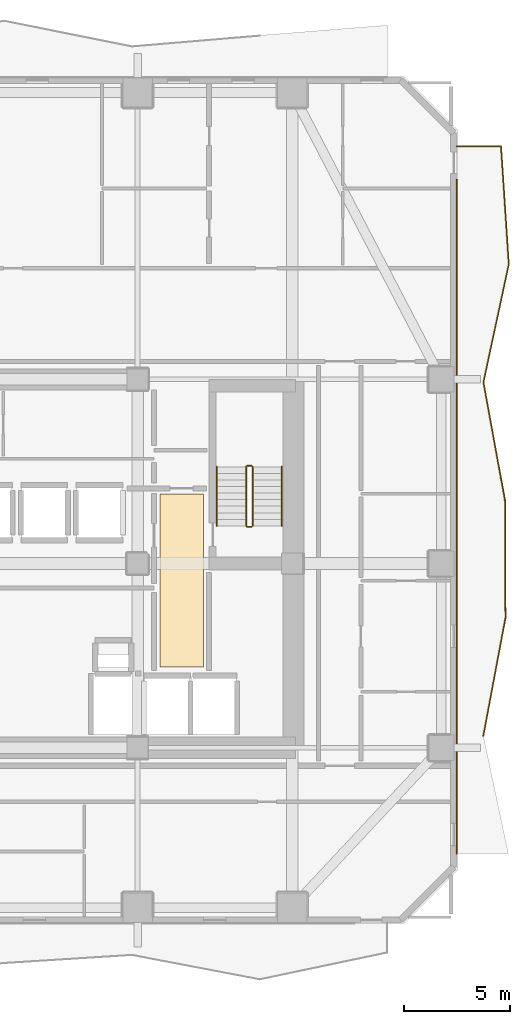
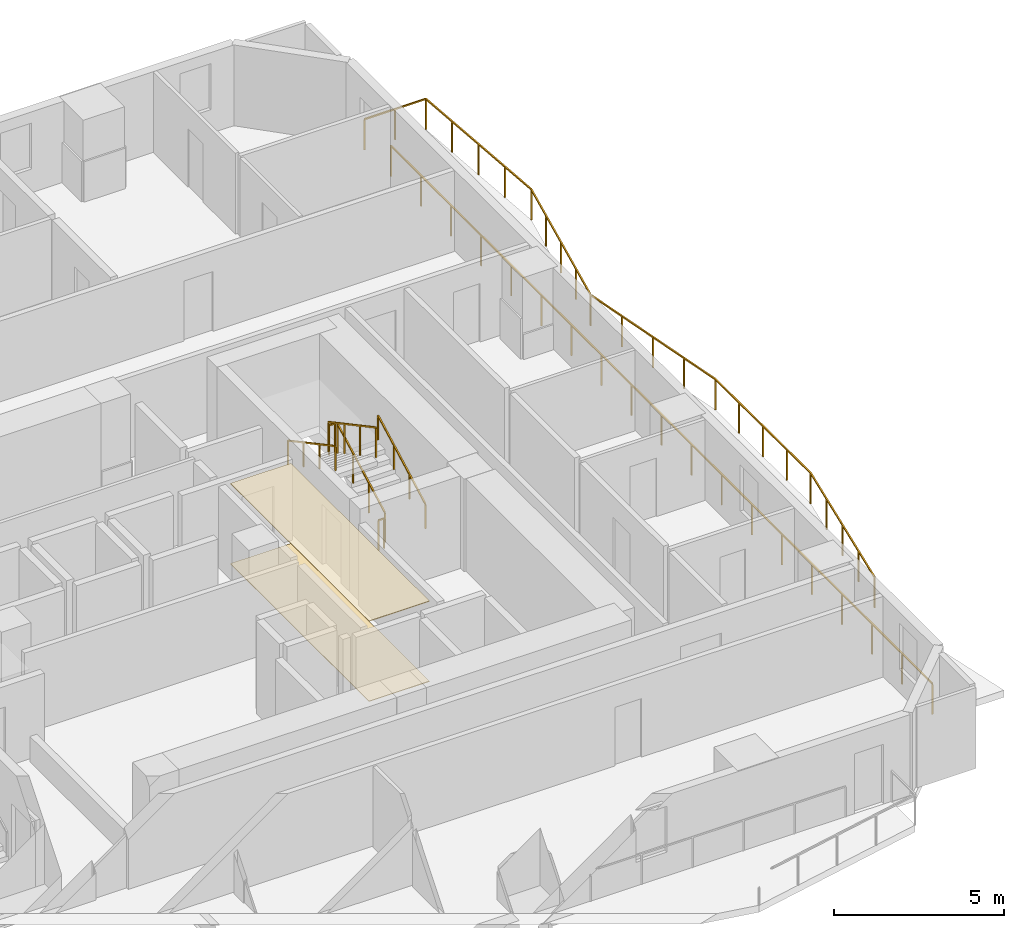
# One storey, part 9 of 10: 8 railings, 2 coverings.
"""IFC4 building model written with IfcOpenShell, lengths in metres."""

from ifc_helpers import new_model, si_unit, direction, frame, origin, origin_2d, place, context, subcontext, project, spatial, polyline, rectangle, outline, extrude, material, layer, layer_set, type_object, element, save


model = new_model("IFC4")

# Units and contexts
model_context = context("Model", 3, precision=1e-05, world=origin(), true_north=direction((0.0, 1.0)))
body_context = subcontext(model_context, "Body", "Model", "MODEL_VIEW")
ifc_project = project(units=[si_unit("LENGTHUNIT", "METRE"), si_unit("AREAUNIT", "SQUARE_METRE"), si_unit("VOLUMEUNIT", "CUBIC_METRE"), si_unit("PLANEANGLEUNIT", "RADIAN"), si_unit("MASSUNIT", "GRAM", prefix="KILO")], contexts=[model_context])

# Site, building, storey
site_placement = place(None, origin())
site = spatial("IfcSite", under=ifc_project, at=site_placement, CompositionType="ELEMENT")
building_placement = place(site_placement, origin())
building = spatial("IfcBuilding", under=site, at=building_placement, Name="Solanera Arch Residences", CompositionType="ELEMENT")
storey_placement = place(building_placement, frame((0.0, 0.0, 102.760009765625)))
storey = spatial("IfcBuildingStorey", under=building, at=storey_placement, Name="L29", CompositionType="ELEMENT", Elevation=102.760009765625)

# Railings
ifc_material_1 = material(Name="Steel S355 (ASTM A992 / A572 Grade 50)", Category="steel")
railing_type_1 = type_object("IfcRailingType", Name="Balustrade Railing BL-1100", PredefinedType="BALUSTRADE", material=ifc_material_1)
railing_1_placement = place(storey_placement, frame((45.534912109375, 22.56689453125, 0.0)))
element("IfcRailing", 1, at=railing_1_placement, inside=storey, type_object=railing_type_1, Name="L29 E Balcony Balustrade 1", PredefinedType="BALUSTRADE", context=body_context, shape_type="SweptSolid", body=[
    extrude(rectangle(XDim=0.048095703125, YDim=0.048095703125, at=origin_2d()), frame((0.0, 0.0, 1.09619140625), z_axis=(0.184379633729, 0.982855101562, 0.0), x_axis=(-0.982855101562, 0.184379633729, 0.0)), (0.0, 0.0, 1.0), 5.663330078125),
    extrude(rectangle(XDim=0.048095703125, YDim=0.048095703125, at=origin_2d()), frame((1.044189453125, 5.566162109375, 1.09619140625), z_axis=(-0.004517101534, 0.999989797845, 0.0), x_axis=(-0.999989797845, -0.004517101534, 0.0)), (0.0, 0.0, 1.0), 5.56689453125),
    extrude(rectangle(XDim=0.048095703125, YDim=0.048095703125, at=origin_2d()), frame((1.01904296875, 11.133056640625, 1.09619140625), z_axis=(-0.179344803706, 0.983786278306, 0.0), x_axis=(-0.983786278306, -0.179344803706, 0.0)), (0.0, 0.0, 1.0), 5.658935546875),
    extrude(rectangle(XDim=0.048095703125, YDim=0.048095703125, at=origin_2d()), frame((0.004150390625, 16.7001953125, 1.09619140625), z_axis=(0.210091364548, 0.977681757292, 0.0), x_axis=(-0.977681757292, 0.210091364548, 0.0)), (0.0, 0.0, 1.0), 5.69287109375),
    extrude(rectangle(XDim=0.048095703125, YDim=0.048095703125, at=origin_2d()), frame((1.2001953125, 22.26611328125, 1.09619140625), z_axis=(-0.065641824161, 0.997843249674, 0.0), x_axis=(-0.997843249674, -0.065641824161, 0.0)), (0.0, 0.0, 1.0), 5.578857421875),
    extrude(rectangle(XDim=0.048095703125, YDim=0.048095703125, at=origin_2d()), frame((0.833984375, 27.8330078125, 1.09619140625), z_axis=(-1.0, 0.0, 0.0), x_axis=(0.0, -1.0, 0.0)), (0.0, 0.0, 1.0), 2.0888671875),
    extrude(rectangle(XDim=0.0419921875, YDim=0.0419921875, at=origin_2d()), origin(), (0.0, 0.0, 1.0), 1.072021484375),
    extrude(rectangle(XDim=0.0419921875, YDim=0.0419921875, at=origin_2d()), frame((0.260986328125, 1.3916015625, 0.0)), (0.0, 0.0, 1.0), 1.072021484375),
    extrude(rectangle(XDim=0.0419921875, YDim=0.0419921875, at=origin_2d()), frame((0.52197265625, 2.783203125, 0.0)), (0.0, 0.0, 1.0), 1.072021484375),
    extrude(rectangle(XDim=0.0419921875, YDim=0.0419921875, at=origin_2d()), frame((0.783203125, 4.174560546875, 0.0)), (0.0, 0.0, 1.0), 1.072021484375),
    extrude(rectangle(XDim=0.0419921875, YDim=0.0419921875, at=origin_2d()), frame((1.044189453125, 5.566162109375, 0.0)), (0.0, 0.0, 1.0), 1.072021484375),
    extrude(rectangle(XDim=0.0419921875, YDim=0.0419921875, at=origin_2d()), frame((1.037841796875, 6.9580078125, 0.0)), (0.0, 0.0, 1.0), 1.072021484375),
    extrude(rectangle(XDim=0.0419921875, YDim=0.0419921875, at=origin_2d()), frame((1.03173828125, 8.349609375, 0.0)), (0.0, 0.0, 1.0), 1.072021484375),
    extrude(rectangle(XDim=0.0419921875, YDim=0.0419921875, at=origin_2d()), frame((1.025390625, 9.7412109375, 0.0)), (0.0, 0.0, 1.0), 1.072021484375),
    extrude(rectangle(XDim=0.0419921875, YDim=0.0419921875, at=origin_2d()), frame((1.01904296875, 11.133056640625, 0.0)), (0.0, 0.0, 1.0), 1.072021484375),
    extrude(rectangle(XDim=0.0419921875, YDim=0.0419921875, at=origin_2d()), frame((0.765380859375, 12.52490234375, 0.0)), (0.0, 0.0, 1.0), 1.072021484375),
    extrude(rectangle(XDim=0.0419921875, YDim=0.0419921875, at=origin_2d()), frame((0.51171875, 13.91650390625, 0.0)), (0.0, 0.0, 1.0), 1.072021484375),
    extrude(rectangle(XDim=0.0419921875, YDim=0.0419921875, at=origin_2d()), frame((0.2578125, 15.308349609375, 0.0)), (0.0, 0.0, 1.0), 1.072021484375),
    extrude(rectangle(XDim=0.0419921875, YDim=0.0419921875, at=origin_2d()), frame((0.004150390625, 16.7001953125, 0.0)), (0.0, 0.0, 1.0), 1.072021484375),
    extrude(rectangle(XDim=0.0419921875, YDim=0.0419921875, at=origin_2d()), frame((0.30322265625, 18.091796875, 0.0)), (0.0, 0.0, 1.0), 1.072021484375),
    extrude(rectangle(XDim=0.0419921875, YDim=0.0419921875, at=origin_2d()), frame((0.60205078125, 19.483154296875, 0.0)), (0.0, 0.0, 1.0), 1.072021484375),
    extrude(rectangle(XDim=0.0419921875, YDim=0.0419921875, at=origin_2d()), frame((0.901123046875, 20.87451171875, 0.0)), (0.0, 0.0, 1.0), 1.072021484375),
    extrude(rectangle(XDim=0.0419921875, YDim=0.0419921875, at=origin_2d()), frame((1.2001953125, 22.26611328125, 0.0)), (0.0, 0.0, 1.0), 1.072021484375),
    extrude(rectangle(XDim=0.0419921875, YDim=0.0419921875, at=origin_2d()), frame((1.108642578125, 23.65771484375, 0.0)), (0.0, 0.0, 1.0), 1.072021484375),
    extrude(rectangle(XDim=0.0419921875, YDim=0.0419921875, at=origin_2d()), frame((1.01708984375, 25.049560546875, 0.0)), (0.0, 0.0, 1.0), 1.072021484375),
    extrude(rectangle(XDim=0.0419921875, YDim=0.0419921875, at=origin_2d()), frame((0.925537109375, 26.44140625, 0.0)), (0.0, 0.0, 1.0), 1.072021484375),
    extrude(rectangle(XDim=0.0419921875, YDim=0.0419921875, at=origin_2d()), frame((0.833984375, 27.8330078125, 0.0)), (0.0, 0.0, 1.0), 1.072021484375),
    extrude(rectangle(XDim=0.0419921875, YDim=0.0419921875, at=origin_2d()), frame((-0.21044921875, 27.8330078125, 0.0)), (0.0, 0.0, 1.0), 1.072021484375),
    extrude(rectangle(XDim=0.0419921875, YDim=0.0419921875, at=origin_2d()), frame((-1.2548828125, 27.8330078125, 0.0)), (0.0, 0.0, 1.0), 1.072021484375),
])
railing_2_placement = place(storey_placement, frame((44.280029296875, 48.833984375, 0.0)))
element("IfcRailing", 2, at=railing_2_placement, inside=storey, type_object=railing_type_1, Name="L29 E Balcony Balustrade 2", PredefinedType="BALUSTRADE", context=body_context, shape_type="SweptSolid", body=[
    extrude(rectangle(XDim=0.048095703125, YDim=0.048095703125, at=origin_2d()), frame((0.0, 0.0, 1.09619140625), z_axis=(0.0, -1.0, 0.0), x_axis=(1.0, 0.0, 0.0)), (0.0, 0.0, 1.0), 31.833984375),
    extrude(rectangle(XDim=0.0419921875, YDim=0.0419921875, at=origin_2d()), origin(), (0.0, 0.0, 1.0), 1.072021484375),
    extrude(rectangle(XDim=0.0419921875, YDim=0.0419921875, at=origin_2d()), frame((0.0, -1.7685546875, 0.0)), (0.0, 0.0, 1.0), 1.072021484375),
    extrude(rectangle(XDim=0.0419921875, YDim=0.0419921875, at=origin_2d()), frame((0.0, -3.537109375, 0.0)), (0.0, 0.0, 1.0), 1.072021484375),
    extrude(rectangle(XDim=0.0419921875, YDim=0.0419921875, at=origin_2d()), frame((0.0, -5.3056640625, 0.0)), (0.0, 0.0, 1.0), 1.072021484375),
    extrude(rectangle(XDim=0.0419921875, YDim=0.0419921875, at=origin_2d()), frame((0.0, -7.07421875, 0.0)), (0.0, 0.0, 1.0), 1.072021484375),
    extrude(rectangle(XDim=0.0419921875, YDim=0.0419921875, at=origin_2d()), frame((0.0, -8.8427734375, 0.0)), (0.0, 0.0, 1.0), 1.072021484375),
    extrude(rectangle(XDim=0.0419921875, YDim=0.0419921875, at=origin_2d()), frame((0.0, -10.611328125, 0.0)), (0.0, 0.0, 1.0), 1.072021484375),
    extrude(rectangle(XDim=0.0419921875, YDim=0.0419921875, at=origin_2d()), frame((0.0, -12.3798828125, 0.0)), (0.0, 0.0, 1.0), 1.072021484375),
    extrude(rectangle(XDim=0.0419921875, YDim=0.0419921875, at=origin_2d()), frame((0.0, -14.1484375, 0.0)), (0.0, 0.0, 1.0), 1.072021484375),
    extrude(rectangle(XDim=0.0419921875, YDim=0.0419921875, at=origin_2d()), frame((0.0, -15.9169921875, 0.0)), (0.0, 0.0, 1.0), 1.072021484375),
    extrude(rectangle(XDim=0.0419921875, YDim=0.0419921875, at=origin_2d()), frame((0.0, -17.685546875, 0.0)), (0.0, 0.0, 1.0), 1.072021484375),
    extrude(rectangle(XDim=0.0419921875, YDim=0.0419921875, at=origin_2d()), frame((0.0, -19.4541015625, 0.0)), (0.0, 0.0, 1.0), 1.072021484375),
    extrude(rectangle(XDim=0.0419921875, YDim=0.0419921875, at=origin_2d()), frame((0.0, -21.22265625, 0.0)), (0.0, 0.0, 1.0), 1.072021484375),
    extrude(rectangle(XDim=0.0419921875, YDim=0.0419921875, at=origin_2d()), frame((0.0, -22.9912109375, 0.0)), (0.0, 0.0, 1.0), 1.072021484375),
    extrude(rectangle(XDim=0.0419921875, YDim=0.0419921875, at=origin_2d()), frame((0.0, -24.759765625, 0.0)), (0.0, 0.0, 1.0), 1.072021484375),
    extrude(rectangle(XDim=0.0419921875, YDim=0.0419921875, at=origin_2d()), frame((0.0, -26.5283203125, 0.0)), (0.0, 0.0, 1.0), 1.072021484375),
    extrude(rectangle(XDim=0.0419921875, YDim=0.0419921875, at=origin_2d()), frame((0.0, -28.296875, 0.0)), (0.0, 0.0, 1.0), 1.072021484375),
    extrude(rectangle(XDim=0.0419921875, YDim=0.0419921875, at=origin_2d()), frame((0.0, -30.0654296875, 0.0)), (0.0, 0.0, 1.0), 1.072021484375),
    extrude(rectangle(XDim=0.0419921875, YDim=0.0419921875, at=origin_2d()), frame((0.0, -31.833984375, 0.0)), (0.0, 0.0, 1.0), 1.072021484375),
])

# Covering
ifc_material_2 = material(Name="Porcelain Acoustic Floor Tile", Category="ceramic")
ifc_layer_1 = layer(ifc_material_2, 0.02001953125)
ifc_layer_set_1 = layer_set([ifc_layer_1], Name="Porcelain Acoustic Floor Tile")
covering_type_1 = type_object("IfcCoveringType", Name="Porcelain Acoustic Floor Finish FLR-20", PredefinedType="FLOORING", material=ifc_layer_set_1)
covering_1_placement = place(storey_placement, origin())
element("IfcCovering", 3, at=covering_1_placement, inside=storey, type_object=covering_type_1, Name="L29-FFL-E Porcelain Floor Finish", PredefinedType="FLOORING", context=body_context, shape_type="SweptSolid", body=[
    extrude(outline(polyline([(32.304931640625, 25.824951171875), (30.25, 25.824951171875), (30.25, 33.97509765625), (32.304931640625, 33.97509765625), (32.304931640625, 25.824951171875)])), origin(), (0.0, 0.0, 1.0), 0.02001953125),
])

# Railings
ifc_material_3 = material(Name="Steel S355 (ASTM A992 / A572 Grade 50)", Category="steel")
railing_type_2 = type_object("IfcRailingType", Name="Stair Guardrail GR-1100", PredefinedType="GUARDRAIL", material=ifc_material_3)
railing_3_placement = place(storey_placement, frame((34.6298828125, 32.47998046875, 0.15087890625)))
element("IfcRailing", 4, at=railing_3_placement, inside=storey, type_object=railing_type_2, Name="L29 ST-T2 stair guard 1", PredefinedType="GUARDRAIL", context=body_context, shape_type="SweptSolid", body=[
    extrude(rectangle(XDim=0.048095703125, YDim=0.048095703125, at=origin_2d()), frame((0.0, 0.0, 1.076171875), z_axis=(0.0, 0.881548766853, 0.472092969298), x_axis=(-1.0, 0.0, 0.0)), (0.0, 0.0, 1.0), 3.1650390625),
    extrude(rectangle(XDim=0.0419921875, YDim=0.0419921875, at=origin_2d()), origin(), (0.0, 0.0, 1.0), 1.052001953125),
    extrude(rectangle(XDim=0.0419921875, YDim=0.0419921875, at=origin_2d()), frame((0.0, 0.929931640625, 0.498046875)), (0.0, 0.0, 1.0), 1.052001953125),
    extrude(rectangle(XDim=0.0419921875, YDim=0.0419921875, at=origin_2d()), frame((0.0, 1.860107421875, 0.99609375)), (0.0, 0.0, 1.0), 1.052001953125),
    extrude(rectangle(XDim=0.0419921875, YDim=0.0419921875, at=origin_2d()), frame((0.0, 2.7900390625, 1.494140625)), (0.0, 0.0, 1.0), 1.052001953125),
])
railing_4_placement = place(storey_placement, frame((34.580078125, 35.320068359375, 1.64501953125)))
element("IfcRailing", 5, at=railing_4_placement, inside=storey, type_object=railing_type_2, Name="L29 ST-T2 stair guard 2", PredefinedType="GUARDRAIL", context=body_context, shape_type="SweptSolid", body=[
    extrude(rectangle(XDim=0.048095703125, YDim=0.048095703125, at=origin_2d()), frame((0.0, 0.0, 1.076171875), z_axis=(-1.0, 0.0, 0.0), x_axis=(0.0, -1.0, 0.0)), (0.0, 0.0, 1.0), 0.2001953125),
    extrude(rectangle(XDim=0.0419921875, YDim=0.0419921875, at=origin_2d()), origin(), (0.0, 0.0, 1.0), 1.052001953125),
    extrude(rectangle(XDim=0.0419921875, YDim=0.0419921875, at=origin_2d()), frame((-0.2001953125, 0.0, 0.0)), (0.0, 0.0, 1.0), 1.052001953125),
])
railing_5_placement = place(storey_placement, frame((34.330078125, 35.27001953125, 1.81103515625)))
element("IfcRailing", 6, at=railing_5_placement, inside=storey, type_object=railing_type_2, Name="L29 ST-T2 stair guard 3", PredefinedType="GUARDRAIL", context=body_context, shape_type="SweptSolid", body=[
    extrude(rectangle(XDim=0.048095703125, YDim=0.048095703125, at=origin_2d()), frame((0.0, 0.0, 1.076171875), z_axis=(0.0, -0.881580869306, 0.472033018838), x_axis=(1.0, 0.0, 0.0)), (0.0, 0.0, 1.0), 3.164794921875),
    extrude(rectangle(XDim=0.0419921875, YDim=0.0419921875, at=origin_2d()), origin(), (0.0, 0.0, 1.0), 1.052001953125),
    extrude(rectangle(XDim=0.0419921875, YDim=0.0419921875, at=origin_2d()), frame((0.0, -0.929931640625, 0.498046875)), (0.0, 0.0, 1.0), 1.052001953125),
    extrude(rectangle(XDim=0.0419921875, YDim=0.0419921875, at=origin_2d()), frame((0.0, -1.860107421875, 0.995849609375)), (0.0, 0.0, 1.0), 1.052001953125),
    extrude(rectangle(XDim=0.0419921875, YDim=0.0419921875, at=origin_2d()), frame((0.0, -2.7900390625, 1.493896484375)), (0.0, 0.0, 1.0), 1.052001953125),
])
railing_6_placement = place(storey_placement, frame((34.580078125, 32.429931640625, -0.014892578125)))
element("IfcRailing", 7, at=railing_6_placement, inside=storey, type_object=railing_type_2, Name="L29 ST-T2 stair guard 4", PredefinedType="GUARDRAIL", context=body_context, shape_type="SweptSolid", body=[
    extrude(rectangle(XDim=0.048095703125, YDim=0.048095703125, at=origin_2d()), frame((0.0, 0.0, 1.076171875), z_axis=(-1.0, 0.0, 0.0), x_axis=(0.0, -1.0, 0.0)), (0.0, 0.0, 1.0), 0.2001953125),
    extrude(rectangle(XDim=0.0419921875, YDim=0.0419921875, at=origin_2d()), origin(), (0.0, 0.0, 1.0), 1.052001953125),
    extrude(rectangle(XDim=0.0419921875, YDim=0.0419921875, at=origin_2d()), frame((-0.2001953125, 0.0, 0.0)), (0.0, 0.0, 1.0), 1.052001953125),
])
ifc_material_4 = material(Name="Steel S355 (ASTM A992 / A572 Grade 50)", Category="steel")
railing_type_3 = type_object("IfcRailingType", Name="Stair Wall Handrail HR-920", PredefinedType="HANDRAIL", material=ifc_material_4)
railing_7_placement = place(storey_placement, frame((36.010009765625, 32.47998046875, 0.166015625)))
element("IfcRailing", 8, at=railing_7_placement, inside=storey, type_object=railing_type_3, Name="L29 ST-T2 stair handrail 1", PredefinedType="HANDRAIL", context=body_context, shape_type="SweptSolid", body=[
    extrude(rectangle(XDim=0.048095703125, YDim=0.048095703125, at=origin_2d()), frame((0.0, 0.0, 0.8759765625), z_axis=(0.0, 0.881580869306, 0.472033018838), x_axis=(-1.0, 0.0, 0.0)), (0.0, 0.0, 1.0), 3.164794921875),
    extrude(rectangle(XDim=0.0419921875, YDim=0.0419921875, at=origin_2d()), origin(), (0.0, 0.0, 1.0), 0.851806640625),
    extrude(rectangle(XDim=0.0419921875, YDim=0.0419921875, at=origin_2d()), frame((0.0, 0.929931640625, 0.498046875)), (0.0, 0.0, 1.0), 0.851806640625),
    extrude(rectangle(XDim=0.0419921875, YDim=0.0419921875, at=origin_2d()), frame((0.0, 1.860107421875, 0.995849609375)), (0.0, 0.0, 1.0), 0.851806640625),
    extrude(rectangle(XDim=0.0419921875, YDim=0.0419921875, at=origin_2d()), frame((0.0, 2.7900390625, 1.493896484375)), (0.0, 0.0, 1.0), 0.851806640625),
])
railing_8_placement = place(storey_placement, frame((32.949951171875, 35.27001953125, 1.825927734375)))
element("IfcRailing", 9, at=railing_8_placement, inside=storey, type_object=railing_type_3, Name="L29 ST-T2 stair handrail 2", PredefinedType="HANDRAIL", context=body_context, shape_type="SweptSolid", body=[
    extrude(rectangle(XDim=0.048095703125, YDim=0.048095703125, at=origin_2d()), frame((0.0, 0.0, 0.8759765625), z_axis=(0.0, -0.881548766853, 0.472092969298), x_axis=(1.0, 0.0, 0.0)), (0.0, 0.0, 1.0), 3.1650390625),
    extrude(rectangle(XDim=0.0419921875, YDim=0.0419921875, at=origin_2d()), origin(), (0.0, 0.0, 1.0), 0.851806640625),
    extrude(rectangle(XDim=0.0419921875, YDim=0.0419921875, at=origin_2d()), frame((0.0, -0.929931640625, 0.498046875)), (0.0, 0.0, 1.0), 0.851806640625),
    extrude(rectangle(XDim=0.0419921875, YDim=0.0419921875, at=origin_2d()), frame((0.0, -1.860107421875, 0.99609375)), (0.0, 0.0, 1.0), 0.851806640625),
    extrude(rectangle(XDim=0.0419921875, YDim=0.0419921875, at=origin_2d()), frame((0.0, -2.7900390625, 1.494140625)), (0.0, 0.0, 1.0), 0.851806640625),
])

# Covering
ifc_material_5 = material(Name="Mineral Fibre Acoustic Ceiling Board", Category="gypsum")
ifc_layer_2 = layer(ifc_material_5, 0.02490234375)
ifc_layer_set_2 = layer_set([ifc_layer_2], Name="Mineral Fibre Acoustic Ceiling Board")
covering_type_2 = type_object("IfcCoveringType", Name="Suspended Acoustic Ceiling Board CLG-25", PredefinedType="CEILING", material=ifc_layer_set_2)
covering_2_placement = place(storey_placement, frame((0.0, 0.0, 2.875)))
element("IfcCovering", 10, at=covering_2_placement, inside=storey, type_object=covering_type_2, Name="L29-FFL-E Acoustic Ceiling", PredefinedType="CEILING", context=body_context, shape_type="SweptSolid", body=[
    extrude(outline(polyline([(32.304931640625, 25.824951171875), (30.25, 25.824951171875), (30.25, 33.97509765625), (32.304931640625, 33.97509765625), (32.304931640625, 25.824951171875)])), origin(), (0.0, 0.0, 1.0), 0.02490234375),
])

save(model, "model.ifc")
